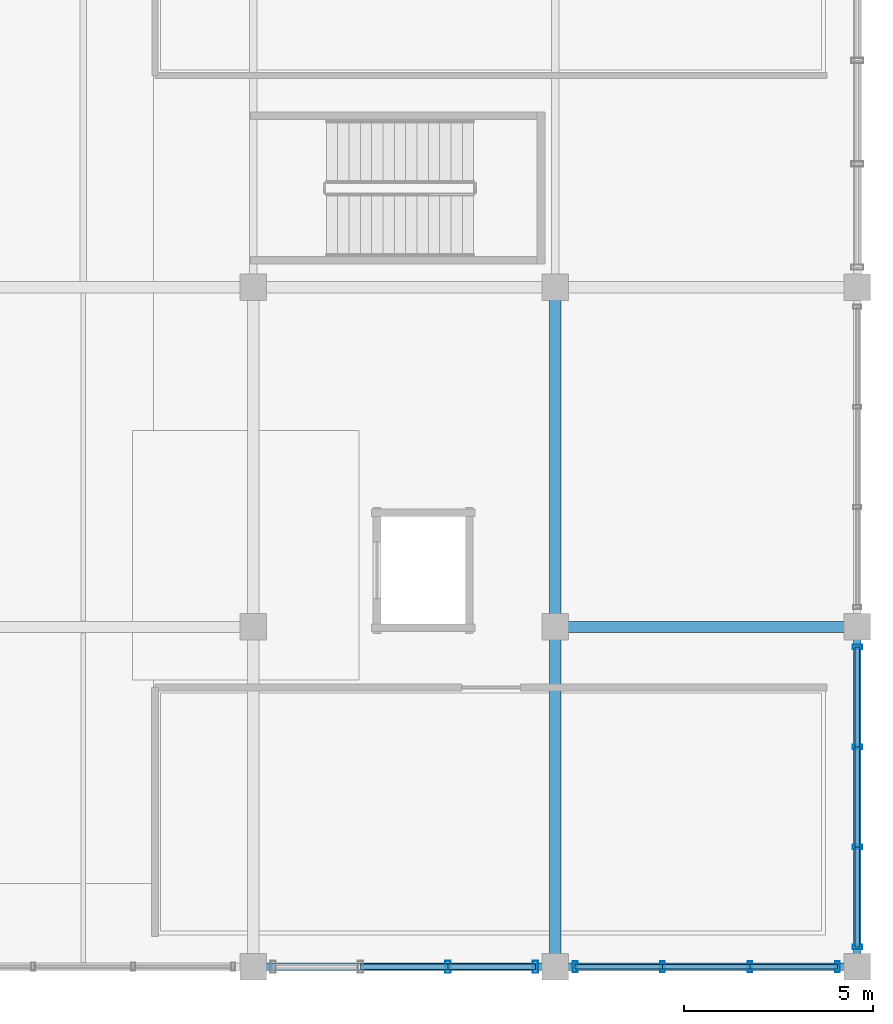
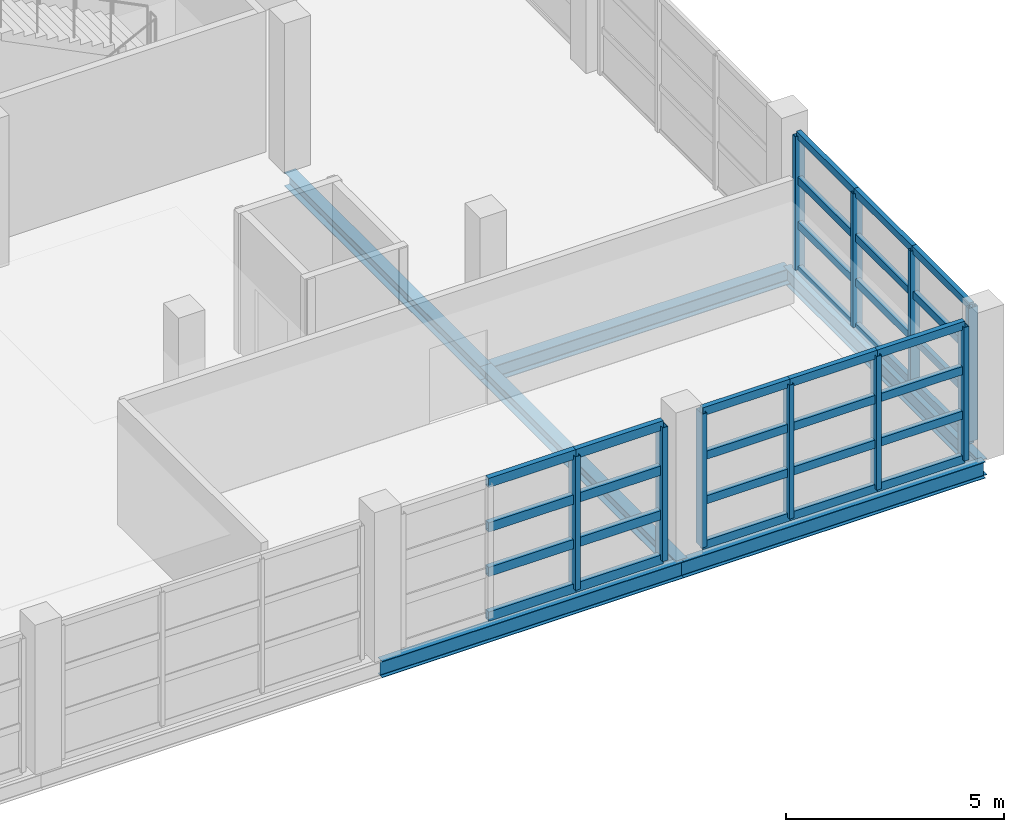
# One storey, part 63 of 136: 42 members, 6 beams, 3 elements without a shape of their own.
"""IFC4 building model written with IfcOpenShell, lengths in metres."""

from ifc_helpers import new_model, si_unit, direction, frame, origin, origin_2d, place, context, subcontext, project, spatial, hollow_rectangle, i_section, extrude, material, material_profile, profile_set, type_object, element, aggregate, save


model = new_model("IFC4")

# Units and contexts
model_context = context("Model", 3, precision=1e-05, world=origin(), true_north=direction((0.0, 1.0)))
body_context = subcontext(model_context, "Body", "Model", "MODEL_VIEW")
ifc_project = project(units=[si_unit("LENGTHUNIT", "METRE"), si_unit("AREAUNIT", "SQUARE_METRE"), si_unit("VOLUMEUNIT", "CUBIC_METRE"), si_unit("PLANEANGLEUNIT", "RADIAN"), si_unit("MASSUNIT", "GRAM", prefix="KILO")], contexts=[model_context])

# Site, building, storey
site_placement = place(None, origin())
site = spatial("IfcSite", under=ifc_project, at=site_placement, CompositionType="ELEMENT")
building_placement = place(site_placement, origin())
building = spatial("IfcBuilding", under=site, at=building_placement, Name="Chuanluo Vaults Station", CompositionType="ELEMENT")
storey_placement = place(building_placement, frame((0.0, 0.0, 6.60009765625)))
storey = spatial("IfcBuildingStorey", under=building, at=storey_placement, Name="L01", CompositionType="ELEMENT", Elevation=6.60009765625)

# Beams
ifc_material_1 = material(Name="Steel Q355C", Category="steel")
ifc_material_profile_1 = material_profile(ifc_material_1, i_section(OverallWidth=0.300048828125, OverallDepth=0.389892578125, WebThickness=0.010009765625, FlangeThickness=0.01611328125, FilletRadius=0.02001953125, at=origin_2d()))
ifc_profile_set_1 = profile_set([ifc_material_profile_1], Name="Steel Q355C")
beam_type_1 = type_object("IfcBeamType", Name="BM-GRD-400", PredefinedType="BEAM", material=ifc_profile_set_1)
for number, where, z_axis, x_axis, name in (
    (1, (180.0, 0.0, -0.43505859375), (0.0, 1.0, 0.0), (-1.0, 0.0, 0.0), "Floor girder BM:GY:L01:0512"),
    (2, (180.0, 9.0, -0.43505859375), (0.0, 1.0, 0.0), (-1.0, 0.0, 0.0), "Floor girder BM:GY:L01:0513"),
):
    element("IfcBeam", number, at=place(storey_placement, frame(where, z_axis=z_axis, x_axis=x_axis)), inside=storey, type_object=beam_type_1, Name=name, PredefinedType="BEAM", context=body_context, shape_type="SweptSolid", body=[
        extrude(i_section(OverallWidth=0.300048828125, OverallDepth=0.389892578125, WebThickness=0.010009765625, FlangeThickness=0.01611328125, FilletRadius=0.02001953125, at=origin_2d()), origin(), (0.0, 0.0, 1.0), 9.0),
    ])
ifc_material_2 = material(Name="Steel Q355C", Category="steel")
ifc_material_profile_2 = material_profile(ifc_material_2, i_section(OverallWidth=0.300048828125, OverallDepth=0.43994140625, WebThickness=0.010986328125, FlangeThickness=0.01806640625, FilletRadius=0.02001953125, at=origin_2d()))
ifc_profile_set_2 = profile_set([ifc_material_profile_2], Name="Steel Q355C")
beam_type_2 = type_object("IfcBeamType", Name="BM-GRD-450", PredefinedType="USERDEFINED", material=ifc_profile_set_2)
beam_1_placement = place(storey_placement, frame((180.0, 9.0, -0.460205078125), z_axis=(1.0, 0.0, 0.0), x_axis=(0.0, 1.0, 0.0)))
element("IfcBeam", 3, at=beam_1_placement, inside=storey, type_object=beam_type_2, Name="Floor girder BM:GX:L01:0290", ObjectType="GIRDER", PredefinedType="USERDEFINED", context=body_context, shape_type="SweptSolid", body=[
    extrude(i_section(OverallWidth=0.300048828125, OverallDepth=0.43994140625, WebThickness=0.010986328125, FlangeThickness=0.01806640625, FilletRadius=0.02001953125, at=origin_2d()), origin(), (0.0, 0.0, 1.0), 8.0),
])
ifc_material_3 = material(Name="Steel Q355C", Category="steel")
ifc_material_profile_3 = material_profile(ifc_material_3, i_section(OverallWidth=0.205078125, OverallDepth=0.4599609375, WebThickness=0.009033203125, FlangeThickness=0.013916015625, FilletRadius=0.01611328125, at=origin_2d()))
ifc_profile_set_3 = profile_set([ifc_material_profile_3], Name="Steel Q355C")
beam_type_3 = type_object("IfcBeamType", Name="BM-SPN-450", PredefinedType="SPANDREL", material=ifc_profile_set_3)
for number, where, z_axis, x_axis, name in (
    (4, (172.0, 0.0, -0.47021484375), (1.0, 0.0, 0.0), (0.0, 1.0, 0.0), "Floor girder BM:GX:L01:0284"),
    (5, (180.0, 0.0, -0.47021484375), (1.0, 0.0, 0.0), (0.0, 1.0, 0.0), "Floor girder BM:GX:L01:0285"),
):
    element("IfcBeam", number, at=place(storey_placement, frame(where, z_axis=z_axis, x_axis=x_axis)), inside=storey, type_object=beam_type_3, Name=name, PredefinedType="SPANDREL", context=body_context, shape_type="SweptSolid", body=[
        extrude(i_section(OverallWidth=0.205078125, OverallDepth=0.4599609375, WebThickness=0.009033203125, FlangeThickness=0.013916015625, FilletRadius=0.01611328125, at=origin_2d()), origin(), (0.0, 0.0, 1.0), 8.0),
    ])
beam_2_placement = place(storey_placement, frame((188.0, 0.0, -0.47021484375), z_axis=(0.0, 1.0, 0.0), x_axis=(-1.0, 0.0, 0.0)))
element("IfcBeam", 6, at=beam_2_placement, inside=storey, type_object=beam_type_3, Name="Floor girder BM:GY:L01:0523", PredefinedType="SPANDREL", context=body_context, shape_type="SweptSolid", body=[
    extrude(i_section(OverallWidth=0.205078125, OverallDepth=0.4599609375, WebThickness=0.009033203125, FlangeThickness=0.013916015625, FilletRadius=0.01611328125, at=origin_2d()), origin(), (0.0, 0.0, 1.0), 9.0),
])

# Curtain wall, members
ifc_material_4 = material(Name="Anodised aluminium 6063-T6", Category="aluminium")
curtain_wall_type_1 = type_object("IfcCurtainWallType", Name="CW-SYS-15", PredefinedType="NOTDEFINED", material=ifc_material_4)
curtain_wall_1_placement = place(storey_placement, origin())
curtain_wall_1 = element("IfcCurtainWall", 7, at=curtain_wall_1_placement, inside=storey, type_object=curtain_wall_type_1, Name="Retail pavilion L01 facade CW", PredefinedType="NOTDEFINED")
ifc_material_5 = material(Name="Anodised aluminium 6063-T6", Category="aluminium")
ifc_material_profile_4 = material_profile(ifc_material_5, hollow_rectangle(XDim=0.1201171875, YDim=0.25, WallThickness=0.006103515625, at=origin_2d()))
ifc_profile_set_4 = profile_set([ifc_material_profile_4], Name="Anodised aluminium 6063-T6")
member_type_1 = type_object("IfcMemberType", Name="CWM-160", PredefinedType="MULLION", material=ifc_profile_set_4)
member_1_placement = place(storey_placement, frame((188.0, 8.47509765625, 0.0), z_axis=(0.0, 0.0, 1.0), x_axis=(0.0, -1.0, 0.0)))
member_1 = element("IfcMember", 8, at=member_1_placement, type_object=member_type_1, Name="Retail pavilion L01 facade CW mullion 1", PredefinedType="MULLION", context=body_context, shape_type="SweptSolid", body=[
    extrude(hollow_rectangle(XDim=0.1201171875, YDim=0.25, WallThickness=0.006103515625, at=origin_2d()), origin(), (0.0, 0.0, 1.0), 3.75),
])
member_2_placement = place(storey_placement, frame((188.0, 5.824951171875, 0.0), z_axis=(0.0, 0.0, 1.0), x_axis=(0.0, -1.0, 0.0)))
member_2 = element("IfcMember", 9, at=member_2_placement, type_object=member_type_1, Name="Retail pavilion L01 facade CW mullion 2", PredefinedType="MULLION", context=body_context, shape_type="SweptSolid", body=[
    extrude(hollow_rectangle(XDim=0.1201171875, YDim=0.25, WallThickness=0.006103515625, at=origin_2d()), origin(), (0.0, 0.0, 1.0), 3.75),
])
member_3_placement = place(storey_placement, frame((188.0, 3.175048828125, 0.0), z_axis=(0.0, 0.0, 1.0), x_axis=(0.0, -1.0, 0.0)))
member_3 = element("IfcMember", 10, at=member_3_placement, type_object=member_type_1, Name="Retail pavilion L01 facade CW mullion 3", PredefinedType="MULLION", context=body_context, shape_type="SweptSolid", body=[
    extrude(hollow_rectangle(XDim=0.1201171875, YDim=0.25, WallThickness=0.006103515625, at=origin_2d()), origin(), (0.0, 0.0, 1.0), 3.75),
])
member_4_placement = place(storey_placement, frame((188.0, 0.52490234375, 0.0), z_axis=(0.0, 0.0, 1.0), x_axis=(0.0, -1.0, 0.0)))
member_4 = element("IfcMember", 11, at=member_4_placement, type_object=member_type_1, Name="Retail pavilion L01 facade CW mullion 4", PredefinedType="MULLION", context=body_context, shape_type="SweptSolid", body=[
    extrude(hollow_rectangle(XDim=0.1201171875, YDim=0.25, WallThickness=0.006103515625, at=origin_2d()), origin(), (0.0, 0.0, 1.0), 3.75),
])

ifc_material_6 = material(Name="Anodised aluminium 6063-T6", Category="aluminium")
curtain_wall_type_2 = type_object("IfcCurtainWallType", Name="CW-SYS-14", PredefinedType="NOTDEFINED", material=ifc_material_6)
curtain_wall_2_placement = place(storey_placement, origin())
curtain_wall_2 = element("IfcCurtainWall", 12, at=curtain_wall_2_placement, inside=storey, type_object=curtain_wall_type_2, Name="Retail pavilion L01 facade CW", PredefinedType="NOTDEFINED")
ifc_material_7 = material(Name="Anodised aluminium 6063-T6", Category="aluminium")
ifc_material_profile_5 = material_profile(ifc_material_7, hollow_rectangle(XDim=0.1298828125, YDim=0.280029296875, WallThickness=0.007080078125, at=origin_2d()))
ifc_profile_set_5 = profile_set([ifc_material_profile_5], Name="Anodised aluminium 6063-T6")
member_type_2 = type_object("IfcMemberType", Name="CWM-180", PredefinedType="MULLION", material=ifc_profile_set_5)
member_5_placement = place(storey_placement, frame((187.47509765625, 0.0, 0.0), z_axis=(0.0, 0.0, 1.0), x_axis=(-1.0, 0.0, 0.0)))
member_5 = element("IfcMember", 13, at=member_5_placement, type_object=member_type_2, Name="Retail pavilion L01 facade CW mullion 1", PredefinedType="MULLION", context=body_context, shape_type="SweptSolid", body=[
    extrude(hollow_rectangle(XDim=0.1298828125, YDim=0.280029296875, WallThickness=0.007080078125, at=origin_2d()), origin(), (0.0, 0.0, 1.0), 3.75),
])
member_6_placement = place(storey_placement, frame((185.158203125, 0.0, 0.0), z_axis=(0.0, 0.0, 1.0), x_axis=(-1.0, 0.0, 0.0)))
member_6 = element("IfcMember", 14, at=member_6_placement, type_object=member_type_2, Name="Retail pavilion L01 facade CW mullion 2", PredefinedType="MULLION", context=body_context, shape_type="SweptSolid", body=[
    extrude(hollow_rectangle(XDim=0.1298828125, YDim=0.280029296875, WallThickness=0.007080078125, at=origin_2d()), origin(), (0.0, 0.0, 1.0), 3.75),
])
member_7_placement = place(storey_placement, frame((182.841796875, 0.0, 0.0), z_axis=(0.0, 0.0, 1.0), x_axis=(-1.0, 0.0, 0.0)))
member_7 = element("IfcMember", 15, at=member_7_placement, type_object=member_type_2, Name="Retail pavilion L01 facade CW mullion 3", PredefinedType="MULLION", context=body_context, shape_type="SweptSolid", body=[
    extrude(hollow_rectangle(XDim=0.1298828125, YDim=0.280029296875, WallThickness=0.007080078125, at=origin_2d()), origin(), (0.0, 0.0, 1.0), 3.75),
])
member_8_placement = place(storey_placement, frame((180.52490234375, 0.0, 0.0), z_axis=(0.0, 0.0, 1.0), x_axis=(-1.0, 0.0, 0.0)))
member_8 = element("IfcMember", 16, at=member_8_placement, type_object=member_type_2, Name="Retail pavilion L01 facade CW mullion 4", PredefinedType="MULLION", context=body_context, shape_type="SweptSolid", body=[
    extrude(hollow_rectangle(XDim=0.1298828125, YDim=0.280029296875, WallThickness=0.007080078125, at=origin_2d()), origin(), (0.0, 0.0, 1.0), 3.75),
])

ifc_material_8 = material(Name="Anodised aluminium 6063-T6", Category="aluminium")
curtain_wall_type_3 = type_object("IfcCurtainWallType", Name="CW-SYS-13", PredefinedType="NOTDEFINED", material=ifc_material_8)
curtain_wall_3_placement = place(storey_placement, origin())
curtain_wall_3 = element("IfcCurtainWall", 17, at=curtain_wall_3_placement, inside=storey, type_object=curtain_wall_type_3, Name="Retail pavilion L01 facade CW", PredefinedType="NOTDEFINED")
ifc_material_9 = material(Name="Anodised aluminium 6063-T6", Category="aluminium")
ifc_material_profile_6 = material_profile(ifc_material_9, hollow_rectangle(XDim=0.139892578125, YDim=0.320068359375, WallThickness=0.008056640625, at=origin_2d()))
ifc_profile_set_6 = profile_set([ifc_material_profile_6], Name="Anodised aluminium 6063-T6")
member_type_3 = type_object("IfcMemberType", Name="CWM-220", PredefinedType="MULLION", material=ifc_profile_set_6)
member_9_placement = place(storey_placement, frame((179.47509765625, 0.0, 0.0), z_axis=(0.0, 0.0, 1.0), x_axis=(-1.0, 0.0, 0.0)))
member_9 = element("IfcMember", 18, at=member_9_placement, type_object=member_type_3, Name="Retail pavilion L01 facade CW mullion 1", PredefinedType="MULLION", context=body_context, shape_type="SweptSolid", body=[
    extrude(hollow_rectangle(XDim=0.139892578125, YDim=0.320068359375, WallThickness=0.008056640625, at=origin_2d()), origin(), (0.0, 0.0, 1.0), 3.75),
])
member_10_placement = place(storey_placement, frame((177.158203125, 0.0, 0.0), z_axis=(0.0, 0.0, 1.0), x_axis=(-1.0, 0.0, 0.0)))
member_10 = element("IfcMember", 19, at=member_10_placement, type_object=member_type_3, Name="Retail pavilion L01 facade CW mullion 2", PredefinedType="MULLION", context=body_context, shape_type="SweptSolid", body=[
    extrude(hollow_rectangle(XDim=0.139892578125, YDim=0.320068359375, WallThickness=0.008056640625, at=origin_2d()), origin(), (0.0, 0.0, 1.0), 3.75),
])

# Member
ifc_material_10 = material(Name="Anodised aluminium 6063-T6", Category="aluminium")
ifc_material_profile_7 = material_profile(ifc_material_10, hollow_rectangle(XDim=0.1201171875, YDim=0.205078125, WallThickness=0.006103515625, at=origin_2d()))
ifc_profile_set_7 = profile_set([ifc_material_profile_7], Name="Anodised aluminium 6063-T6")
member_type_4 = type_object("IfcMemberType", Name="CWT-130", PredefinedType="USERDEFINED", material=ifc_profile_set_7)
member_11_placement = place(storey_placement, frame((188.0, 8.47509765625, 0.0), z_axis=(0.0, -1.0, 0.0), x_axis=(1.0, 0.0, 0.0)))
member_11 = element("IfcMember", 20, at=member_11_placement, type_object=member_type_4, Name="Retail pavilion L01 facade CW transom 1.1", ObjectType="TRANSOM", PredefinedType="USERDEFINED", context=body_context, shape_type="SweptSolid", body=[
    extrude(hollow_rectangle(XDim=0.1201171875, YDim=0.205078125, WallThickness=0.006103515625, at=origin_2d()), origin(), (0.0, 0.0, 1.0), 2.650146484375),
])

member_12_placement = place(storey_placement, frame((188.0, 8.47509765625, 1.25), z_axis=(0.0, -1.0, 0.0), x_axis=(1.0, 0.0, 0.0)))
member_12 = element("IfcMember", 21, at=member_12_placement, type_object=member_type_4, Name="Retail pavilion L01 facade CW transom 1.2", ObjectType="TRANSOM", PredefinedType="USERDEFINED", context=body_context, shape_type="SweptSolid", body=[
    extrude(hollow_rectangle(XDim=0.1201171875, YDim=0.205078125, WallThickness=0.006103515625, at=origin_2d()), origin(), (0.0, 0.0, 1.0), 2.650146484375),
])

member_13_placement = place(storey_placement, frame((188.0, 8.47509765625, 2.5), z_axis=(0.0, -1.0, 0.0), x_axis=(1.0, 0.0, 0.0)))
member_13 = element("IfcMember", 22, at=member_13_placement, type_object=member_type_4, Name="Retail pavilion L01 facade CW transom 1.3", ObjectType="TRANSOM", PredefinedType="USERDEFINED", context=body_context, shape_type="SweptSolid", body=[
    extrude(hollow_rectangle(XDim=0.1201171875, YDim=0.205078125, WallThickness=0.006103515625, at=origin_2d()), origin(), (0.0, 0.0, 1.0), 2.650146484375),
])

member_14_placement = place(storey_placement, frame((188.0, 8.47509765625, 3.75), z_axis=(0.0, -1.0, 0.0), x_axis=(1.0, 0.0, 0.0)))
member_14 = element("IfcMember", 23, at=member_14_placement, type_object=member_type_4, Name="Retail pavilion L01 facade CW transom 1.4", ObjectType="TRANSOM", PredefinedType="USERDEFINED", context=body_context, shape_type="SweptSolid", body=[
    extrude(hollow_rectangle(XDim=0.1201171875, YDim=0.205078125, WallThickness=0.006103515625, at=origin_2d()), origin(), (0.0, 0.0, 1.0), 2.650146484375),
])

member_15_placement = place(storey_placement, frame((188.0, 5.824951171875, 0.0), z_axis=(0.0, -1.0, 0.0), x_axis=(1.0, 0.0, 0.0)))
member_15 = element("IfcMember", 24, at=member_15_placement, type_object=member_type_4, Name="Retail pavilion L01 facade CW transom 2.1", ObjectType="TRANSOM", PredefinedType="USERDEFINED", context=body_context, shape_type="SweptSolid", body=[
    extrude(hollow_rectangle(XDim=0.1201171875, YDim=0.205078125, WallThickness=0.006103515625, at=origin_2d()), origin(), (0.0, 0.0, 1.0), 2.64990234375),
])

member_16_placement = place(storey_placement, frame((188.0, 5.824951171875, 1.25), z_axis=(0.0, -1.0, 0.0), x_axis=(1.0, 0.0, 0.0)))
member_16 = element("IfcMember", 25, at=member_16_placement, type_object=member_type_4, Name="Retail pavilion L01 facade CW transom 2.2", ObjectType="TRANSOM", PredefinedType="USERDEFINED", context=body_context, shape_type="SweptSolid", body=[
    extrude(hollow_rectangle(XDim=0.1201171875, YDim=0.205078125, WallThickness=0.006103515625, at=origin_2d()), origin(), (0.0, 0.0, 1.0), 2.64990234375),
])

member_17_placement = place(storey_placement, frame((188.0, 5.824951171875, 2.5), z_axis=(0.0, -1.0, 0.0), x_axis=(1.0, 0.0, 0.0)))
member_17 = element("IfcMember", 26, at=member_17_placement, type_object=member_type_4, Name="Retail pavilion L01 facade CW transom 2.3", ObjectType="TRANSOM", PredefinedType="USERDEFINED", context=body_context, shape_type="SweptSolid", body=[
    extrude(hollow_rectangle(XDim=0.1201171875, YDim=0.205078125, WallThickness=0.006103515625, at=origin_2d()), origin(), (0.0, 0.0, 1.0), 2.64990234375),
])

member_18_placement = place(storey_placement, frame((188.0, 5.824951171875, 3.75), z_axis=(0.0, -1.0, 0.0), x_axis=(1.0, 0.0, 0.0)))
member_18 = element("IfcMember", 27, at=member_18_placement, type_object=member_type_4, Name="Retail pavilion L01 facade CW transom 2.4", ObjectType="TRANSOM", PredefinedType="USERDEFINED", context=body_context, shape_type="SweptSolid", body=[
    extrude(hollow_rectangle(XDim=0.1201171875, YDim=0.205078125, WallThickness=0.006103515625, at=origin_2d()), origin(), (0.0, 0.0, 1.0), 2.64990234375),
])

member_19_placement = place(storey_placement, frame((188.0, 3.175048828125, 0.0), z_axis=(0.0, -1.0, 0.0), x_axis=(1.0, 0.0, 0.0)))
member_19 = element("IfcMember", 28, at=member_19_placement, type_object=member_type_4, Name="Retail pavilion L01 facade CW transom 3.1", ObjectType="TRANSOM", PredefinedType="USERDEFINED", context=body_context, shape_type="SweptSolid", body=[
    extrude(hollow_rectangle(XDim=0.1201171875, YDim=0.205078125, WallThickness=0.006103515625, at=origin_2d()), origin(), (0.0, 0.0, 1.0), 2.650146484375),
])

member_20_placement = place(storey_placement, frame((188.0, 3.175048828125, 1.25), z_axis=(0.0, -1.0, 0.0), x_axis=(1.0, 0.0, 0.0)))
member_20 = element("IfcMember", 29, at=member_20_placement, type_object=member_type_4, Name="Retail pavilion L01 facade CW transom 3.2", ObjectType="TRANSOM", PredefinedType="USERDEFINED", context=body_context, shape_type="SweptSolid", body=[
    extrude(hollow_rectangle(XDim=0.1201171875, YDim=0.205078125, WallThickness=0.006103515625, at=origin_2d()), origin(), (0.0, 0.0, 1.0), 2.650146484375),
])

member_21_placement = place(storey_placement, frame((188.0, 3.175048828125, 2.5), z_axis=(0.0, -1.0, 0.0), x_axis=(1.0, 0.0, 0.0)))
member_21 = element("IfcMember", 30, at=member_21_placement, type_object=member_type_4, Name="Retail pavilion L01 facade CW transom 3.3", ObjectType="TRANSOM", PredefinedType="USERDEFINED", context=body_context, shape_type="SweptSolid", body=[
    extrude(hollow_rectangle(XDim=0.1201171875, YDim=0.205078125, WallThickness=0.006103515625, at=origin_2d()), origin(), (0.0, 0.0, 1.0), 2.650146484375),
])

member_22_placement = place(storey_placement, frame((188.0, 3.175048828125, 3.75), z_axis=(0.0, -1.0, 0.0), x_axis=(1.0, 0.0, 0.0)))
member_22 = element("IfcMember", 31, at=member_22_placement, type_object=member_type_4, Name="Retail pavilion L01 facade CW transom 3.4", ObjectType="TRANSOM", PredefinedType="USERDEFINED", context=body_context, shape_type="SweptSolid", body=[
    extrude(hollow_rectangle(XDim=0.1201171875, YDim=0.205078125, WallThickness=0.006103515625, at=origin_2d()), origin(), (0.0, 0.0, 1.0), 2.650146484375),
])

aggregate(curtain_wall_1, [member_1, member_2, member_3, member_4, member_11, member_12, member_13, member_14, member_15, member_16, member_17, member_18, member_19, member_20, member_21, member_22])

ifc_material_11 = material(Name="Anodised aluminium 6063-T6", Category="aluminium")
ifc_material_profile_8 = material_profile(ifc_material_11, hollow_rectangle(XDim=0.1298828125, YDim=0.22998046875, WallThickness=0.006103515625, at=origin_2d()))
ifc_profile_set_8 = profile_set([ifc_material_profile_8], Name="Anodised aluminium 6063-T6")
member_type_5 = type_object("IfcMemberType", Name="CWT-150", PredefinedType="USERDEFINED", material=ifc_profile_set_8)
member_23_placement = place(storey_placement, frame((187.47509765625, 0.0, 0.0), z_axis=(-1.0, 0.0, 0.0), x_axis=(0.0, -1.0, 0.0)))
member_23 = element("IfcMember", 32, at=member_23_placement, type_object=member_type_5, Name="Retail pavilion L01 facade CW transom 1.1", ObjectType="TRANSOM", PredefinedType="USERDEFINED", context=body_context, shape_type="SweptSolid", body=[
    extrude(hollow_rectangle(XDim=0.1298828125, YDim=0.22998046875, WallThickness=0.006103515625, at=origin_2d()), origin(), (0.0, 0.0, 1.0), 2.31689453125),
])

member_24_placement = place(storey_placement, frame((187.47509765625, 0.0, 1.25), z_axis=(-1.0, 0.0, 0.0), x_axis=(0.0, -1.0, 0.0)))
member_24 = element("IfcMember", 33, at=member_24_placement, type_object=member_type_5, Name="Retail pavilion L01 facade CW transom 1.2", ObjectType="TRANSOM", PredefinedType="USERDEFINED", context=body_context, shape_type="SweptSolid", body=[
    extrude(hollow_rectangle(XDim=0.1298828125, YDim=0.22998046875, WallThickness=0.006103515625, at=origin_2d()), origin(), (0.0, 0.0, 1.0), 2.31689453125),
])

member_25_placement = place(storey_placement, frame((187.47509765625, 0.0, 2.5), z_axis=(-1.0, 0.0, 0.0), x_axis=(0.0, -1.0, 0.0)))
member_25 = element("IfcMember", 34, at=member_25_placement, type_object=member_type_5, Name="Retail pavilion L01 facade CW transom 1.3", ObjectType="TRANSOM", PredefinedType="USERDEFINED", context=body_context, shape_type="SweptSolid", body=[
    extrude(hollow_rectangle(XDim=0.1298828125, YDim=0.22998046875, WallThickness=0.006103515625, at=origin_2d()), origin(), (0.0, 0.0, 1.0), 2.31689453125),
])

member_26_placement = place(storey_placement, frame((187.47509765625, 0.0, 3.75), z_axis=(-1.0, 0.0, 0.0), x_axis=(0.0, -1.0, 0.0)))
member_26 = element("IfcMember", 35, at=member_26_placement, type_object=member_type_5, Name="Retail pavilion L01 facade CW transom 1.4", ObjectType="TRANSOM", PredefinedType="USERDEFINED", context=body_context, shape_type="SweptSolid", body=[
    extrude(hollow_rectangle(XDim=0.1298828125, YDim=0.22998046875, WallThickness=0.006103515625, at=origin_2d()), origin(), (0.0, 0.0, 1.0), 2.31689453125),
])

member_27_placement = place(storey_placement, frame((185.158203125, 0.0, 0.0), z_axis=(-1.0, 0.0, 0.0), x_axis=(0.0, -1.0, 0.0)))
member_27 = element("IfcMember", 36, at=member_27_placement, type_object=member_type_5, Name="Retail pavilion L01 facade CW transom 2.1", ObjectType="TRANSOM", PredefinedType="USERDEFINED", context=body_context, shape_type="SweptSolid", body=[
    extrude(hollow_rectangle(XDim=0.1298828125, YDim=0.22998046875, WallThickness=0.006103515625, at=origin_2d()), origin(), (0.0, 0.0, 1.0), 2.31640625),
])

member_28_placement = place(storey_placement, frame((185.158203125, 0.0, 1.25), z_axis=(-1.0, 0.0, 0.0), x_axis=(0.0, -1.0, 0.0)))
member_28 = element("IfcMember", 37, at=member_28_placement, type_object=member_type_5, Name="Retail pavilion L01 facade CW transom 2.2", ObjectType="TRANSOM", PredefinedType="USERDEFINED", context=body_context, shape_type="SweptSolid", body=[
    extrude(hollow_rectangle(XDim=0.1298828125, YDim=0.22998046875, WallThickness=0.006103515625, at=origin_2d()), origin(), (0.0, 0.0, 1.0), 2.31640625),
])

member_29_placement = place(storey_placement, frame((185.158203125, 0.0, 2.5), z_axis=(-1.0, 0.0, 0.0), x_axis=(0.0, -1.0, 0.0)))
member_29 = element("IfcMember", 38, at=member_29_placement, type_object=member_type_5, Name="Retail pavilion L01 facade CW transom 2.3", ObjectType="TRANSOM", PredefinedType="USERDEFINED", context=body_context, shape_type="SweptSolid", body=[
    extrude(hollow_rectangle(XDim=0.1298828125, YDim=0.22998046875, WallThickness=0.006103515625, at=origin_2d()), origin(), (0.0, 0.0, 1.0), 2.31640625),
])

member_30_placement = place(storey_placement, frame((185.158203125, 0.0, 3.75), z_axis=(-1.0, 0.0, 0.0), x_axis=(0.0, -1.0, 0.0)))
member_30 = element("IfcMember", 39, at=member_30_placement, type_object=member_type_5, Name="Retail pavilion L01 facade CW transom 2.4", ObjectType="TRANSOM", PredefinedType="USERDEFINED", context=body_context, shape_type="SweptSolid", body=[
    extrude(hollow_rectangle(XDim=0.1298828125, YDim=0.22998046875, WallThickness=0.006103515625, at=origin_2d()), origin(), (0.0, 0.0, 1.0), 2.31640625),
])

member_31_placement = place(storey_placement, frame((182.841796875, 0.0, 0.0), z_axis=(-1.0, 0.0, 0.0), x_axis=(0.0, -1.0, 0.0)))
member_31 = element("IfcMember", 40, at=member_31_placement, type_object=member_type_5, Name="Retail pavilion L01 facade CW transom 3.1", ObjectType="TRANSOM", PredefinedType="USERDEFINED", context=body_context, shape_type="SweptSolid", body=[
    extrude(hollow_rectangle(XDim=0.1298828125, YDim=0.22998046875, WallThickness=0.006103515625, at=origin_2d()), origin(), (0.0, 0.0, 1.0), 2.31689453125),
])

member_32_placement = place(storey_placement, frame((182.841796875, 0.0, 1.25), z_axis=(-1.0, 0.0, 0.0), x_axis=(0.0, -1.0, 0.0)))
member_32 = element("IfcMember", 41, at=member_32_placement, type_object=member_type_5, Name="Retail pavilion L01 facade CW transom 3.2", ObjectType="TRANSOM", PredefinedType="USERDEFINED", context=body_context, shape_type="SweptSolid", body=[
    extrude(hollow_rectangle(XDim=0.1298828125, YDim=0.22998046875, WallThickness=0.006103515625, at=origin_2d()), origin(), (0.0, 0.0, 1.0), 2.31689453125),
])

member_33_placement = place(storey_placement, frame((182.841796875, 0.0, 2.5), z_axis=(-1.0, 0.0, 0.0), x_axis=(0.0, -1.0, 0.0)))
member_33 = element("IfcMember", 42, at=member_33_placement, type_object=member_type_5, Name="Retail pavilion L01 facade CW transom 3.3", ObjectType="TRANSOM", PredefinedType="USERDEFINED", context=body_context, shape_type="SweptSolid", body=[
    extrude(hollow_rectangle(XDim=0.1298828125, YDim=0.22998046875, WallThickness=0.006103515625, at=origin_2d()), origin(), (0.0, 0.0, 1.0), 2.31689453125),
])

member_34_placement = place(storey_placement, frame((182.841796875, 0.0, 3.75), z_axis=(-1.0, 0.0, 0.0), x_axis=(0.0, -1.0, 0.0)))
member_34 = element("IfcMember", 43, at=member_34_placement, type_object=member_type_5, Name="Retail pavilion L01 facade CW transom 3.4", ObjectType="TRANSOM", PredefinedType="USERDEFINED", context=body_context, shape_type="SweptSolid", body=[
    extrude(hollow_rectangle(XDim=0.1298828125, YDim=0.22998046875, WallThickness=0.006103515625, at=origin_2d()), origin(), (0.0, 0.0, 1.0), 2.31689453125),
])

aggregate(curtain_wall_2, [member_5, member_6, member_7, member_8, member_23, member_24, member_25, member_26, member_27, member_28, member_29, member_30, member_31, member_32, member_33, member_34])

ifc_material_12 = material(Name="Anodised aluminium 6063-T6", Category="aluminium")
ifc_material_profile_9 = material_profile(ifc_material_12, hollow_rectangle(XDim=0.139892578125, YDim=0.260009765625, WallThickness=0.007080078125, at=origin_2d()))
ifc_profile_set_9 = profile_set([ifc_material_profile_9], Name="Anodised aluminium 6063-T6")
member_type_6 = type_object("IfcMemberType", Name="CWT-180", PredefinedType="USERDEFINED", material=ifc_profile_set_9)
member_35_placement = place(storey_placement, frame((179.47509765625, 0.0, 0.0), z_axis=(-1.0, 0.0, 0.0), x_axis=(0.0, -1.0, 0.0)))
member_35 = element("IfcMember", 44, at=member_35_placement, type_object=member_type_6, Name="Retail pavilion L01 facade CW transom 1.1", ObjectType="TRANSOM", PredefinedType="USERDEFINED", context=body_context, shape_type="SweptSolid", body=[
    extrude(hollow_rectangle(XDim=0.139892578125, YDim=0.260009765625, WallThickness=0.007080078125, at=origin_2d()), origin(), (0.0, 0.0, 1.0), 2.31689453125),
])

member_36_placement = place(storey_placement, frame((179.47509765625, 0.0, 1.25), z_axis=(-1.0, 0.0, 0.0), x_axis=(0.0, -1.0, 0.0)))
member_36 = element("IfcMember", 45, at=member_36_placement, type_object=member_type_6, Name="Retail pavilion L01 facade CW transom 1.2", ObjectType="TRANSOM", PredefinedType="USERDEFINED", context=body_context, shape_type="SweptSolid", body=[
    extrude(hollow_rectangle(XDim=0.139892578125, YDim=0.260009765625, WallThickness=0.007080078125, at=origin_2d()), origin(), (0.0, 0.0, 1.0), 2.31689453125),
])

member_37_placement = place(storey_placement, frame((179.47509765625, 0.0, 2.5), z_axis=(-1.0, 0.0, 0.0), x_axis=(0.0, -1.0, 0.0)))
member_37 = element("IfcMember", 46, at=member_37_placement, type_object=member_type_6, Name="Retail pavilion L01 facade CW transom 1.3", ObjectType="TRANSOM", PredefinedType="USERDEFINED", context=body_context, shape_type="SweptSolid", body=[
    extrude(hollow_rectangle(XDim=0.139892578125, YDim=0.260009765625, WallThickness=0.007080078125, at=origin_2d()), origin(), (0.0, 0.0, 1.0), 2.31689453125),
])

member_38_placement = place(storey_placement, frame((179.47509765625, 0.0, 3.75), z_axis=(-1.0, 0.0, 0.0), x_axis=(0.0, -1.0, 0.0)))
member_38 = element("IfcMember", 47, at=member_38_placement, type_object=member_type_6, Name="Retail pavilion L01 facade CW transom 1.4", ObjectType="TRANSOM", PredefinedType="USERDEFINED", context=body_context, shape_type="SweptSolid", body=[
    extrude(hollow_rectangle(XDim=0.139892578125, YDim=0.260009765625, WallThickness=0.007080078125, at=origin_2d()), origin(), (0.0, 0.0, 1.0), 2.31689453125),
])

member_39_placement = place(storey_placement, frame((177.158203125, 0.0, 0.0), z_axis=(-1.0, 0.0, 0.0), x_axis=(0.0, -1.0, 0.0)))
member_39 = element("IfcMember", 48, at=member_39_placement, type_object=member_type_6, Name="Retail pavilion L01 facade CW transom 2.1", ObjectType="TRANSOM", PredefinedType="USERDEFINED", context=body_context, shape_type="SweptSolid", body=[
    extrude(hollow_rectangle(XDim=0.139892578125, YDim=0.260009765625, WallThickness=0.007080078125, at=origin_2d()), origin(), (0.0, 0.0, 1.0), 2.31640625),
])

member_40_placement = place(storey_placement, frame((177.158203125, 0.0, 1.25), z_axis=(-1.0, 0.0, 0.0), x_axis=(0.0, -1.0, 0.0)))
member_40 = element("IfcMember", 49, at=member_40_placement, type_object=member_type_6, Name="Retail pavilion L01 facade CW transom 2.2", ObjectType="TRANSOM", PredefinedType="USERDEFINED", context=body_context, shape_type="SweptSolid", body=[
    extrude(hollow_rectangle(XDim=0.139892578125, YDim=0.260009765625, WallThickness=0.007080078125, at=origin_2d()), origin(), (0.0, 0.0, 1.0), 2.31640625),
])

member_41_placement = place(storey_placement, frame((177.158203125, 0.0, 2.5), z_axis=(-1.0, 0.0, 0.0), x_axis=(0.0, -1.0, 0.0)))
member_41 = element("IfcMember", 50, at=member_41_placement, type_object=member_type_6, Name="Retail pavilion L01 facade CW transom 2.3", ObjectType="TRANSOM", PredefinedType="USERDEFINED", context=body_context, shape_type="SweptSolid", body=[
    extrude(hollow_rectangle(XDim=0.139892578125, YDim=0.260009765625, WallThickness=0.007080078125, at=origin_2d()), origin(), (0.0, 0.0, 1.0), 2.31640625),
])

member_42_placement = place(storey_placement, frame((177.158203125, 0.0, 3.75), z_axis=(-1.0, 0.0, 0.0), x_axis=(0.0, -1.0, 0.0)))
member_42 = element("IfcMember", 51, at=member_42_placement, type_object=member_type_6, Name="Retail pavilion L01 facade CW transom 2.4", ObjectType="TRANSOM", PredefinedType="USERDEFINED", context=body_context, shape_type="SweptSolid", body=[
    extrude(hollow_rectangle(XDim=0.139892578125, YDim=0.260009765625, WallThickness=0.007080078125, at=origin_2d()), origin(), (0.0, 0.0, 1.0), 2.31640625),
])

aggregate(curtain_wall_3, [member_9, member_10, member_35, member_36, member_37, member_38, member_39, member_40, member_41, member_42])

save(model, "model.ifc")
